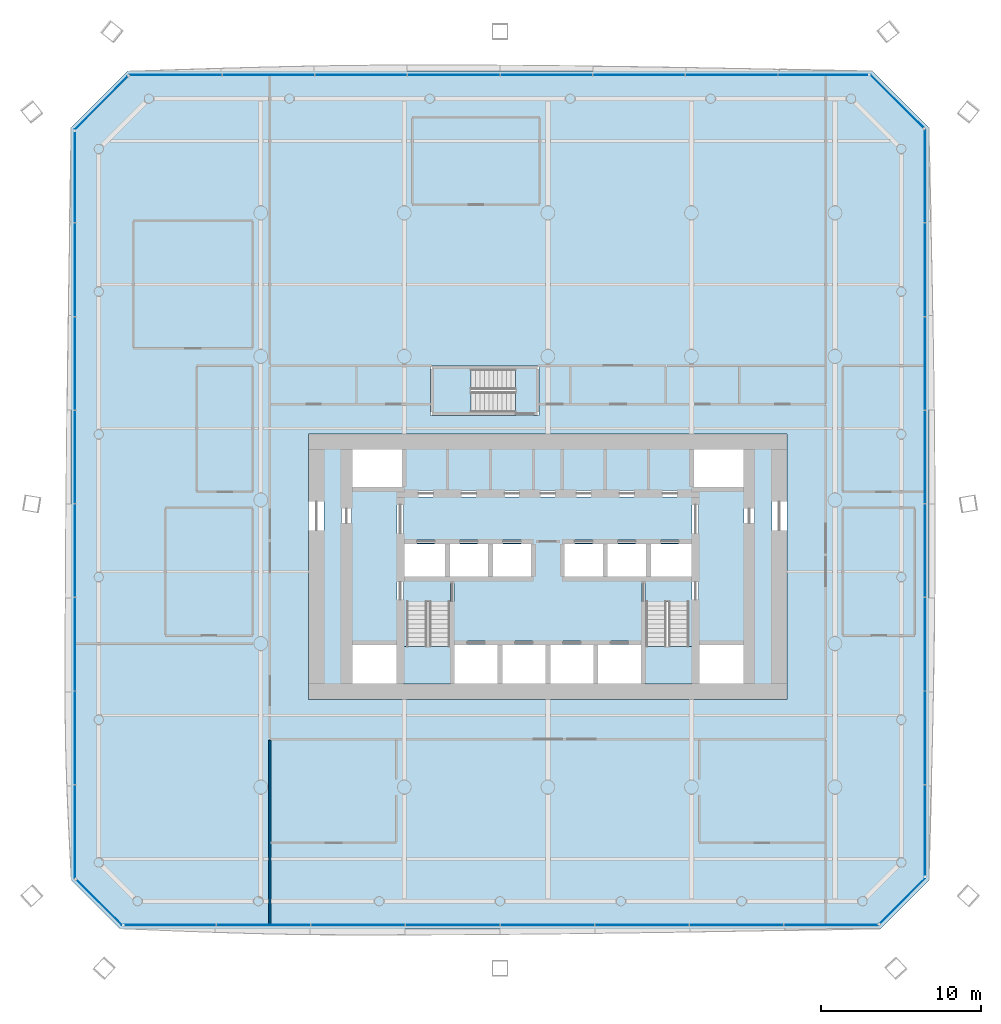
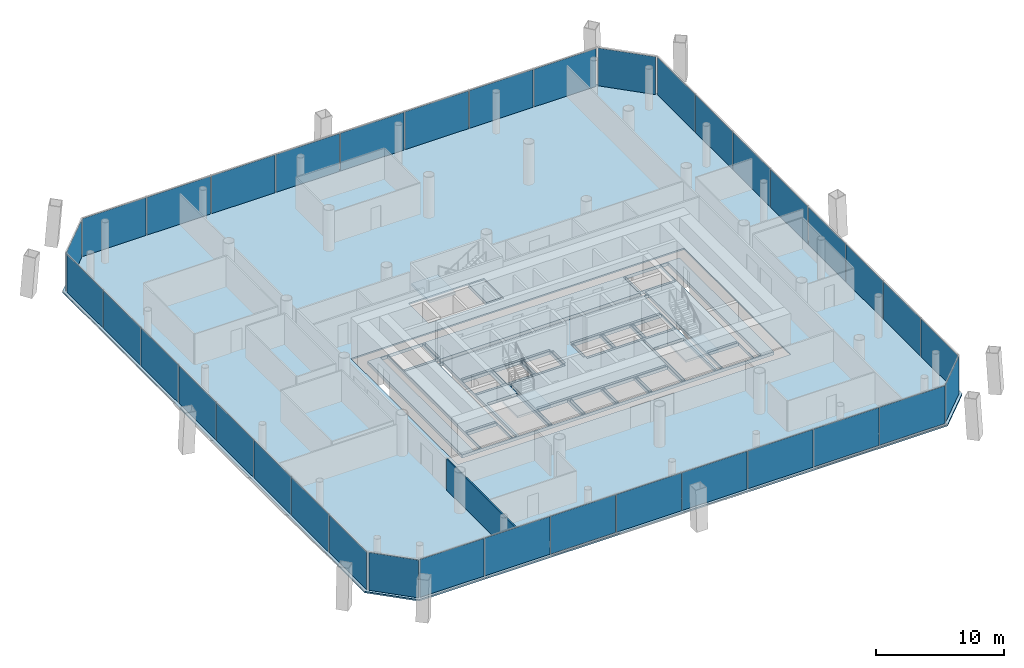
# One storey, part 12 of 21: 36 plates, 6 slabs, 1 wall, 11 elements without a shape of their own.
"""IFC4 building model written with IfcOpenShell, lengths in metres."""

from ifc_helpers import new_model, si_unit, direction, frame, frame_2d, origin, origin_2d, place, context, subcontext, project, spatial, polyline, rectangle, outline, extrude, material, layer, layer_set, type_object, element, aggregate, save


model = new_model("IFC4")

# Units and contexts
model_context = context("Model", 3, precision=1e-05, world=origin(), true_north=direction((0.0, 1.0)))
body_context = subcontext(model_context, "Body", "Model", "MODEL_VIEW")
ifc_project = project(units=[si_unit("LENGTHUNIT", "METRE"), si_unit("AREAUNIT", "SQUARE_METRE"), si_unit("VOLUMEUNIT", "CUBIC_METRE"), si_unit("PLANEANGLEUNIT", "RADIAN"), si_unit("MASSUNIT", "GRAM", prefix="KILO")], contexts=[model_context])

# Site, building, storey
site_placement = place(None, origin())
site = spatial("IfcSite", under=ifc_project, at=site_placement, CompositionType="ELEMENT")
building_placement = place(site_placement, origin())
building = spatial("IfcBuilding", under=site, at=building_placement, Name="Tskaro Facet Tower", CompositionType="ELEMENT")
storey_placement = place(building_placement, frame((0.0, 0.0, 42.0)))
storey = spatial("IfcBuildingStorey", under=building, at=storey_placement, Name="L09", CompositionType="ELEMENT", Elevation=42.0)

# Slab
ifc_material_1 = material(Name="Concrete C30/37", Category="concrete")
ifc_layer_1 = layer(ifc_material_1, 0.139892578125, Name="Concrete C30/37")
ifc_layer_set_1 = layer_set([ifc_layer_1], Name="Concrete C30/37")
slab_type_1 = type_object("IfcSlabType", Name="Composite deck floor slab", PredefinedType="FLOOR", material=ifc_layer_set_1)
slab_1_placement = place(storey_placement, frame((0.0, 0.0, -0.139892578125)))
element("IfcSlab", 1, at=slab_1_placement, inside=storey, type_object=slab_type_1, Name="Floor slab FS3 L09", PredefinedType="FLOOR", context=body_context, shape_type="SweptSolid", body=[
    extrude(outline(polyline([(-26.81689453125, -26.904052734375), (20.81689453125, -26.904052734375), (23.904052734375, -23.81689453125), (23.904052734375, 23.339111328125), (20.339111328125, 26.904052734375), (-26.339111328125, 26.904052734375), (-29.904052734375, 23.339111328125), (-29.904052734375, -23.81689453125), (-26.81689453125, -26.904052734375)]), holes=[polyline([(-15.0, -12.5), (15.0, -12.5), (15.0, 4.14990234375), (-15.0, 4.14990234375), (-15.0, -12.5)]), polyline([(-7.35009765625, 5.300048828125), (-0.550048828125, 5.300048828125), (-0.550048828125, 8.39990234375), (-7.35009765625, 8.39990234375), (-7.35009765625, 5.300048828125)])]), origin(), (0.0, 0.0, 1.0), 0.139892578125),
])

# Curtain wall, plates
ifc_material_2 = material(Name="Bronze anodised aluminium 6063-T6", Category="aluminium")
curtain_wall_type = type_object("IfcCurtainWallType", Name="Bronze office curtain wall (FW1)", PredefinedType="NOTDEFINED", material=ifc_material_2)
curtain_wall_1_placement = place(storey_placement, origin())
curtain_wall_1 = element("IfcCurtainWall", 2, at=curtain_wall_1_placement, inside=storey, type_object=curtain_wall_type, Name="FW1 south facet L09", PredefinedType="NOTDEFINED")
ifc_material_3 = material(Name="Bronze tinted glass", Category="glass")
ifc_layer_2 = layer(ifc_material_3, 0.031982421875, Name="Bronze tinted glass")
ifc_layer_set_2 = layer_set([ifc_layer_2], Name="Bronze tinted glass")
plate_type = type_object("IfcPlateType", Name="FW1 bronze-tinted unit glazing 32", PredefinedType="CURTAIN_PANEL", material=ifc_layer_set_2)
plate_1_placement = place(storey_placement, frame((-23.683837890625, -26.654052734375, 0.0), z_axis=(0.0, 0.0, 1.0), x_axis=(1.0, 0.0, 0.0)))
plate_1 = element("IfcPlate", 3, at=plate_1_placement, type_object=plate_type, Name="FW1 south glazing 1.1", PredefinedType="CURTAIN_PANEL", context=body_context, shape_type="SweptSolid", body=[
    extrude(rectangle(XDim=5.73828125, YDim=0.031982421875, at=origin_2d()), origin(), (0.0, 0.0, 1.0), 3.60009765625),
])
plate_2_placement = place(storey_placement, frame((-17.820556640625, -26.654052734375, 0.0), z_axis=(0.0, 0.0, 1.0), x_axis=(1.0, 0.0, 0.0)))
plate_2 = element("IfcPlate", 4, at=plate_2_placement, type_object=plate_type, Name="FW1 south glazing 2.1", PredefinedType="CURTAIN_PANEL", context=body_context, shape_type="SweptSolid", body=[
    extrude(rectangle(XDim=5.8681640625, YDim=0.031982421875, at=origin_2d()), origin(), (0.0, 0.0, 1.0), 3.60009765625),
])
plate_3_placement = place(storey_placement, frame((-11.892333984375, -26.654052734375, 0.0), z_axis=(0.0, 0.0, 1.0), x_axis=(1.0, 0.0, 0.0)))
plate_3 = element("IfcPlate", 5, at=plate_3_placement, type_object=plate_type, Name="FW1 south glazing 3.1", PredefinedType="CURTAIN_PANEL", context=body_context, shape_type="SweptSolid", body=[
    extrude(rectangle(XDim=5.8681640625, YDim=0.031982421875, at=origin_2d()), origin(), (0.0, 0.0, 1.0), 3.60009765625),
])
plate_4_placement = place(storey_placement, frame((-5.964111328125, -26.654052734375, 0.0), z_axis=(0.0, 0.0, 1.0), x_axis=(1.0, 0.0, 0.0)))
plate_4 = element("IfcPlate", 6, at=plate_4_placement, type_object=plate_type, Name="FW1 south glazing 4.1", PredefinedType="CURTAIN_PANEL", context=body_context, shape_type="SweptSolid", body=[
    extrude(rectangle(XDim=5.8681640625, YDim=0.031982421875, at=origin_2d()), origin(), (0.0, 0.0, 1.0), 3.60009765625),
])
plate_5_placement = place(storey_placement, frame((-0.035888671875, -26.654052734375, 0.0), z_axis=(0.0, 0.0, 1.0), x_axis=(1.0, 0.0, 0.0)))
plate_5 = element("IfcPlate", 7, at=plate_5_placement, type_object=plate_type, Name="FW1 south glazing 5.1", PredefinedType="CURTAIN_PANEL", context=body_context, shape_type="SweptSolid", body=[
    extrude(rectangle(XDim=5.8681640625, YDim=0.031982421875, at=origin_2d()), origin(), (0.0, 0.0, 1.0), 3.60009765625),
])
plate_6_placement = place(storey_placement, frame((5.892333984375, -26.654052734375, 0.0), z_axis=(0.0, 0.0, 1.0), x_axis=(1.0, 0.0, 0.0)))
plate_6 = element("IfcPlate", 8, at=plate_6_placement, type_object=plate_type, Name="FW1 south glazing 6.1", PredefinedType="CURTAIN_PANEL", context=body_context, shape_type="SweptSolid", body=[
    extrude(rectangle(XDim=5.8681640625, YDim=0.031982421875, at=origin_2d()), origin(), (0.0, 0.0, 1.0), 3.60009765625),
])
plate_7_placement = place(storey_placement, frame((11.820556640625, -26.654052734375, 0.0), z_axis=(0.0, 0.0, 1.0), x_axis=(1.0, 0.0, 0.0)))
plate_7 = element("IfcPlate", 9, at=plate_7_placement, type_object=plate_type, Name="FW1 south glazing 7.1", PredefinedType="CURTAIN_PANEL", context=body_context, shape_type="SweptSolid", body=[
    extrude(rectangle(XDim=5.8681640625, YDim=0.031982421875, at=origin_2d()), origin(), (0.0, 0.0, 1.0), 3.60009765625),
])
plate_8_placement = place(storey_placement, frame((17.763916015625, -26.654052734375, 0.0), z_axis=(0.0, 0.0, 1.0), x_axis=(1.0, 0.0, 0.0)))
plate_8 = element("IfcPlate", 10, at=plate_8_placement, type_object=plate_type, Name="FW1 south glazing 8.1", PredefinedType="CURTAIN_PANEL", context=body_context, shape_type="SweptSolid", body=[
    extrude(rectangle(XDim=5.898193359375, YDim=0.031982421875, at=origin_2d()), origin(), (0.0, 0.0, 1.0), 3.60009765625),
])
aggregate(curtain_wall_1, [plate_1, plate_2, plate_3, plate_4, plate_5, plate_6, plate_7, plate_8])

# Curtain wall, plate
curtain_wall_2_placement = place(storey_placement, origin())
curtain_wall_2 = element("IfcCurtainWall", 11, at=curtain_wall_2_placement, inside=storey, type_object=curtain_wall_type, Name="FW1 south-east facet L09", PredefinedType="NOTDEFINED")
plate_9_placement = place(storey_placement, frame((22.239990234375, -25.126953125, 0.0), z_axis=(0.0, 0.0, 1.0), x_axis=(0.707106781187, 0.707106781187, 0.0)))
plate_9 = element("IfcPlate", 12, at=plate_9_placement, type_object=plate_type, Name="FW1 south-east glazing 1.1", PredefinedType="CURTAIN_PANEL", context=body_context, shape_type="SweptSolid", body=[
    extrude(rectangle(XDim=3.999267578125, YDim=0.031982421875, at=origin_2d()), origin(), (0.0, 0.0, 1.0), 3.60009765625),
])
aggregate(curtain_wall_2, [plate_9])

# Curtain wall, plates
curtain_wall_3_placement = place(storey_placement, origin())
curtain_wall_3 = element("IfcCurtainWall", 13, at=curtain_wall_3_placement, inside=storey, type_object=curtain_wall_type, Name="FW1 east facet L09", PredefinedType="NOTDEFINED")
plate_10_placement = place(storey_placement, frame((23.654052734375, -20.7138671875, 0.0), z_axis=(0.0, 0.0, 1.0), x_axis=(0.0, 1.0, 0.0)))
plate_10 = element("IfcPlate", 14, at=plate_10_placement, type_object=plate_type, Name="FW1 east glazing 1.1", PredefinedType="CURTAIN_PANEL", context=body_context, shape_type="SweptSolid", body=[
    extrude(rectangle(XDim=5.678466796875, YDim=0.031982421875, at=origin_2d()), origin(), (0.0, 0.0, 1.0), 3.60009765625),
])
plate_11_placement = place(storey_placement, frame((23.654052734375, -14.91015625, 0.0), z_axis=(0.0, 0.0, 1.0), x_axis=(0.0, 1.0, 0.0)))
plate_11 = element("IfcPlate", 15, at=plate_11_placement, type_object=plate_type, Name="FW1 east glazing 2.1", PredefinedType="CURTAIN_PANEL", context=body_context, shape_type="SweptSolid", body=[
    extrude(rectangle(XDim=5.80859375, YDim=0.031982421875, at=origin_2d()), origin(), (0.0, 0.0, 1.0), 3.60009765625),
])
plate_12_placement = place(storey_placement, frame((23.654052734375, -9.041748046875, 0.0), z_axis=(0.0, 0.0, 1.0), x_axis=(0.0, 1.0, 0.0)))
plate_12 = element("IfcPlate", 16, at=plate_12_placement, type_object=plate_type, Name="FW1 east glazing 3.1", PredefinedType="CURTAIN_PANEL", context=body_context, shape_type="SweptSolid", body=[
    extrude(rectangle(XDim=5.80859375, YDim=0.031982421875, at=origin_2d()), origin(), (0.0, 0.0, 1.0), 3.60009765625),
])
plate_13_placement = place(storey_placement, frame((23.654052734375, -3.17333984375, 0.0), z_axis=(0.0, 0.0, 1.0), x_axis=(0.0, 1.0, 0.0)))
plate_13 = element("IfcPlate", 17, at=plate_13_placement, type_object=plate_type, Name="FW1 east glazing 4.1", PredefinedType="CURTAIN_PANEL", context=body_context, shape_type="SweptSolid", body=[
    extrude(rectangle(XDim=5.80859375, YDim=0.031982421875, at=origin_2d()), origin(), (0.0, 0.0, 1.0), 3.60009765625),
])
plate_14_placement = place(storey_placement, frame((23.654052734375, 2.6953125, 0.0), z_axis=(0.0, 0.0, 1.0), x_axis=(0.0, 1.0, 0.0)))
plate_14 = element("IfcPlate", 18, at=plate_14_placement, type_object=plate_type, Name="FW1 east glazing 5.1", PredefinedType="CURTAIN_PANEL", context=body_context, shape_type="SweptSolid", body=[
    extrude(rectangle(XDim=5.80859375, YDim=0.031982421875, at=origin_2d()), origin(), (0.0, 0.0, 1.0), 3.60009765625),
])
plate_15_placement = place(storey_placement, frame((23.654052734375, 8.563720703125, 0.0), z_axis=(0.0, 0.0, 1.0), x_axis=(0.0, 1.0, 0.0)))
plate_15 = element("IfcPlate", 19, at=plate_15_placement, type_object=plate_type, Name="FW1 east glazing 6.1", PredefinedType="CURTAIN_PANEL", context=body_context, shape_type="SweptSolid", body=[
    extrude(rectangle(XDim=5.80859375, YDim=0.031982421875, at=origin_2d()), origin(), (0.0, 0.0, 1.0), 3.60009765625),
])
plate_16_placement = place(storey_placement, frame((23.654052734375, 14.43212890625, 0.0), z_axis=(0.0, 0.0, 1.0), x_axis=(0.0, 1.0, 0.0)))
plate_16 = element("IfcPlate", 20, at=plate_16_placement, type_object=plate_type, Name="FW1 east glazing 7.1", PredefinedType="CURTAIN_PANEL", context=body_context, shape_type="SweptSolid", body=[
    extrude(rectangle(XDim=5.80859375, YDim=0.031982421875, at=origin_2d()), origin(), (0.0, 0.0, 1.0), 3.60009765625),
])
plate_17_placement = place(storey_placement, frame((23.654052734375, 20.315673828125, 0.0), z_axis=(0.0, 0.0, 1.0), x_axis=(0.0, 1.0, 0.0)))
plate_17 = element("IfcPlate", 21, at=plate_17_placement, type_object=plate_type, Name="FW1 east glazing 8.1", PredefinedType="CURTAIN_PANEL", context=body_context, shape_type="SweptSolid", body=[
    extrude(rectangle(XDim=5.83837890625, YDim=0.031982421875, at=origin_2d()), origin(), (0.0, 0.0, 1.0), 3.60009765625),
])
aggregate(curtain_wall_3, [plate_10, plate_11, plate_12, plate_13, plate_14, plate_15, plate_16, plate_17])

# Curtain wall, plate
curtain_wall_4_placement = place(storey_placement, origin())
curtain_wall_4 = element("IfcCurtainWall", 22, at=curtain_wall_4_placement, inside=storey, type_object=curtain_wall_type, Name="FW1 north-east facet L09", PredefinedType="NOTDEFINED")
plate_18_placement = place(storey_placement, frame((21.887939453125, 25.0009765625, 0.0), z_axis=(0.0, 0.0, 1.0), x_axis=(-0.707106781187, 0.707106781187, 0.0)))
plate_18 = element("IfcPlate", 23, at=plate_18_placement, type_object=plate_type, Name="FW1 north-east glazing 1.1", PredefinedType="CURTAIN_PANEL", context=body_context, shape_type="SweptSolid", body=[
    extrude(rectangle(XDim=4.67529296875, YDim=0.031982421875, at=origin_2d()), origin(), (0.0, 0.0, 1.0), 3.60009765625),
])
aggregate(curtain_wall_4, [plate_18])

# Curtain wall, plates
curtain_wall_5_placement = place(storey_placement, origin())
curtain_wall_5 = element("IfcCurtainWall", 24, at=curtain_wall_5_placement, inside=storey, type_object=curtain_wall_type, Name="FW1 north facet L09", PredefinedType="NOTDEFINED")
plate_19_placement = place(storey_placement, frame((17.265625, 26.654052734375, 0.0), z_axis=(0.0, 0.0, 1.0), x_axis=(-1.0, 0.0, 0.0)))
plate_19 = element("IfcPlate", 25, at=plate_19_placement, type_object=plate_type, Name="FW1 north glazing 1.1", PredefinedType="CURTAIN_PANEL", context=body_context, shape_type="SweptSolid", body=[
    extrude(rectangle(XDim=5.61865234375, YDim=0.031982421875, at=origin_2d()), origin(), (0.0, 0.0, 1.0), 3.60009765625),
])
plate_20_placement = place(storey_placement, frame((11.52197265625, 26.654052734375, 0.0), z_axis=(0.0, 0.0, 1.0), x_axis=(-1.0, 0.0, 0.0)))
plate_20 = element("IfcPlate", 26, at=plate_20_placement, type_object=plate_type, Name="FW1 north glazing 2.1", PredefinedType="CURTAIN_PANEL", context=body_context, shape_type="SweptSolid", body=[
    extrude(rectangle(XDim=5.748779296875, YDim=0.031982421875, at=origin_2d()), origin(), (0.0, 0.0, 1.0), 3.60009765625),
])
plate_21_placement = place(storey_placement, frame((5.713134765625, 26.654052734375, 0.0), z_axis=(0.0, 0.0, 1.0), x_axis=(-1.0, 0.0, 0.0)))
plate_21 = element("IfcPlate", 27, at=plate_21_placement, type_object=plate_type, Name="FW1 north glazing 3.1", PredefinedType="CURTAIN_PANEL", context=body_context, shape_type="SweptSolid", body=[
    extrude(rectangle(XDim=5.748779296875, YDim=0.031982421875, at=origin_2d()), origin(), (0.0, 0.0, 1.0), 3.60009765625),
])
plate_22_placement = place(storey_placement, frame((-0.095703125, 26.654052734375, 0.0), z_axis=(0.0, 0.0, 1.0), x_axis=(-1.0, 0.0, 0.0)))
plate_22 = element("IfcPlate", 28, at=plate_22_placement, type_object=plate_type, Name="FW1 north glazing 4.1", PredefinedType="CURTAIN_PANEL", context=body_context, shape_type="SweptSolid", body=[
    extrude(rectangle(XDim=5.748779296875, YDim=0.031982421875, at=origin_2d()), origin(), (0.0, 0.0, 1.0), 3.60009765625),
])
plate_23_placement = place(storey_placement, frame((-5.904296875, 26.654052734375, 0.0), z_axis=(0.0, 0.0, 1.0), x_axis=(-1.0, 0.0, 0.0)))
plate_23 = element("IfcPlate", 29, at=plate_23_placement, type_object=plate_type, Name="FW1 north glazing 5.1", PredefinedType="CURTAIN_PANEL", context=body_context, shape_type="SweptSolid", body=[
    extrude(rectangle(XDim=5.748779296875, YDim=0.031982421875, at=origin_2d()), origin(), (0.0, 0.0, 1.0), 3.60009765625),
])
plate_24_placement = place(storey_placement, frame((-11.713134765625, 26.654052734375, 0.0), z_axis=(0.0, 0.0, 1.0), x_axis=(-1.0, 0.0, 0.0)))
plate_24 = element("IfcPlate", 30, at=plate_24_placement, type_object=plate_type, Name="FW1 north glazing 6.1", PredefinedType="CURTAIN_PANEL", context=body_context, shape_type="SweptSolid", body=[
    extrude(rectangle(XDim=5.748779296875, YDim=0.031982421875, at=origin_2d()), origin(), (0.0, 0.0, 1.0), 3.60009765625),
])
plate_25_placement = place(storey_placement, frame((-17.52197265625, 26.654052734375, 0.0), z_axis=(0.0, 0.0, 1.0), x_axis=(-1.0, 0.0, 0.0)))
plate_25 = element("IfcPlate", 31, at=plate_25_placement, type_object=plate_type, Name="FW1 north glazing 7.1", PredefinedType="CURTAIN_PANEL", context=body_context, shape_type="SweptSolid", body=[
    extrude(rectangle(XDim=5.748779296875, YDim=0.031982421875, at=origin_2d()), origin(), (0.0, 0.0, 1.0), 3.60009765625),
])
plate_26_placement = place(storey_placement, frame((-23.345703125, 26.654052734375, 0.0), z_axis=(0.0, 0.0, 1.0), x_axis=(-1.0, 0.0, 0.0)))
plate_26 = element("IfcPlate", 32, at=plate_26_placement, type_object=plate_type, Name="FW1 north glazing 8.1", PredefinedType="CURTAIN_PANEL", context=body_context, shape_type="SweptSolid", body=[
    extrude(rectangle(XDim=5.77880859375, YDim=0.031982421875, at=origin_2d()), origin(), (0.0, 0.0, 1.0), 3.60009765625),
])
aggregate(curtain_wall_5, [plate_19, plate_20, plate_21, plate_22, plate_23, plate_24, plate_25, plate_26])

# Curtain wall, plate
curtain_wall_6_placement = place(storey_placement, origin())
curtain_wall_6 = element("IfcCurtainWall", 33, at=curtain_wall_6_placement, inside=storey, type_object=curtain_wall_type, Name="FW1 north-west facet L09", PredefinedType="NOTDEFINED")
plate_27_placement = place(storey_placement, frame((-28.0009765625, 24.887939453125, 0.0), z_axis=(0.0, 0.0, 1.0), x_axis=(-0.707106781187, -0.707106781187, 0.0)))
plate_27 = element("IfcPlate", 34, at=plate_27_placement, type_object=plate_type, Name="FW1 north-west glazing 1.1", PredefinedType="CURTAIN_PANEL", context=body_context, shape_type="SweptSolid", body=[
    extrude(rectangle(XDim=4.67529296875, YDim=0.031982421875, at=origin_2d()), origin(), (0.0, 0.0, 1.0), 3.60009765625),
])
aggregate(curtain_wall_6, [plate_27])

# Curtain wall, plates
curtain_wall_7_placement = place(storey_placement, origin())
curtain_wall_7 = element("IfcCurtainWall", 35, at=curtain_wall_7_placement, inside=storey, type_object=curtain_wall_type, Name="FW1 west facet L09", PredefinedType="NOTDEFINED")
plate_28_placement = place(storey_placement, frame((-29.654052734375, 20.23583984375, 0.0), z_axis=(0.0, 0.0, 1.0), x_axis=(0.0, -1.0, 0.0)))
plate_28 = element("IfcPlate", 36, at=plate_28_placement, type_object=plate_type, Name="FW1 west glazing 1.1", PredefinedType="CURTAIN_PANEL", context=body_context, shape_type="SweptSolid", body=[
    extrude(rectangle(XDim=5.678466796875, YDim=0.031982421875, at=origin_2d()), origin(), (0.0, 0.0, 1.0), 3.60009765625),
])
plate_29_placement = place(storey_placement, frame((-29.654052734375, 14.43212890625, 0.0), z_axis=(0.0, 0.0, 1.0), x_axis=(0.0, -1.0, 0.0)))
plate_29 = element("IfcPlate", 37, at=plate_29_placement, type_object=plate_type, Name="FW1 west glazing 2.1", PredefinedType="CURTAIN_PANEL", context=body_context, shape_type="SweptSolid", body=[
    extrude(rectangle(XDim=5.80859375, YDim=0.031982421875, at=origin_2d()), origin(), (0.0, 0.0, 1.0), 3.60009765625),
])
plate_30_placement = place(storey_placement, frame((-29.654052734375, 8.563720703125, 0.0), z_axis=(0.0, 0.0, 1.0), x_axis=(0.0, -1.0, 0.0)))
plate_30 = element("IfcPlate", 38, at=plate_30_placement, type_object=plate_type, Name="FW1 west glazing 3.1", PredefinedType="CURTAIN_PANEL", context=body_context, shape_type="SweptSolid", body=[
    extrude(rectangle(XDim=5.80859375, YDim=0.031982421875, at=origin_2d()), origin(), (0.0, 0.0, 1.0), 3.60009765625),
])
plate_31_placement = place(storey_placement, frame((-29.654052734375, 2.6953125, 0.0), z_axis=(0.0, 0.0, 1.0), x_axis=(0.0, -1.0, 0.0)))
plate_31 = element("IfcPlate", 39, at=plate_31_placement, type_object=plate_type, Name="FW1 west glazing 4.1", PredefinedType="CURTAIN_PANEL", context=body_context, shape_type="SweptSolid", body=[
    extrude(rectangle(XDim=5.80859375, YDim=0.031982421875, at=origin_2d()), origin(), (0.0, 0.0, 1.0), 3.60009765625),
])
plate_32_placement = place(storey_placement, frame((-29.654052734375, -3.17333984375, 0.0), z_axis=(0.0, 0.0, 1.0), x_axis=(0.0, -1.0, 0.0)))
plate_32 = element("IfcPlate", 40, at=plate_32_placement, type_object=plate_type, Name="FW1 west glazing 5.1", PredefinedType="CURTAIN_PANEL", context=body_context, shape_type="SweptSolid", body=[
    extrude(rectangle(XDim=5.80859375, YDim=0.031982421875, at=origin_2d()), origin(), (0.0, 0.0, 1.0), 3.60009765625),
])
plate_33_placement = place(storey_placement, frame((-29.654052734375, -9.041748046875, 0.0), z_axis=(0.0, 0.0, 1.0), x_axis=(0.0, -1.0, 0.0)))
plate_33 = element("IfcPlate", 41, at=plate_33_placement, type_object=plate_type, Name="FW1 west glazing 6.1", PredefinedType="CURTAIN_PANEL", context=body_context, shape_type="SweptSolid", body=[
    extrude(rectangle(XDim=5.80859375, YDim=0.031982421875, at=origin_2d()), origin(), (0.0, 0.0, 1.0), 3.60009765625),
])
plate_34_placement = place(storey_placement, frame((-29.654052734375, -14.91015625, 0.0), z_axis=(0.0, 0.0, 1.0), x_axis=(0.0, -1.0, 0.0)))
plate_34 = element("IfcPlate", 42, at=plate_34_placement, type_object=plate_type, Name="FW1 west glazing 7.1", PredefinedType="CURTAIN_PANEL", context=body_context, shape_type="SweptSolid", body=[
    extrude(rectangle(XDim=5.80859375, YDim=0.031982421875, at=origin_2d()), origin(), (0.0, 0.0, 1.0), 3.60009765625),
])
plate_35_placement = place(storey_placement, frame((-29.654052734375, -20.793701171875, 0.0), z_axis=(0.0, 0.0, 1.0), x_axis=(0.0, -1.0, 0.0)))
plate_35 = element("IfcPlate", 43, at=plate_35_placement, type_object=plate_type, Name="FW1 west glazing 8.1", PredefinedType="CURTAIN_PANEL", context=body_context, shape_type="SweptSolid", body=[
    extrude(rectangle(XDim=5.83837890625, YDim=0.031982421875, at=origin_2d()), origin(), (0.0, 0.0, 1.0), 3.60009765625),
])
aggregate(curtain_wall_7, [plate_28, plate_29, plate_30, plate_31, plate_32, plate_33, plate_34, plate_35])

# Curtain wall, plate
curtain_wall_8_placement = place(storey_placement, origin())
curtain_wall_8 = element("IfcCurtainWall", 44, at=curtain_wall_8_placement, inside=storey, type_object=curtain_wall_type, Name="FW1 south-west facet L09", PredefinedType="NOTDEFINED")
plate_36_placement = place(storey_placement, frame((-28.126953125, -25.239990234375, 0.0), z_axis=(0.0, 0.0, 1.0), x_axis=(0.707106781187, -0.707106781187, 0.0)))
plate_36 = element("IfcPlate", 45, at=plate_36_placement, type_object=plate_type, Name="FW1 south-west glazing 1.1", PredefinedType="CURTAIN_PANEL", context=body_context, shape_type="SweptSolid", body=[
    extrude(rectangle(XDim=3.999267578125, YDim=0.031982421875, at=origin_2d()), origin(), (0.0, 0.0, 1.0), 3.60009765625),
])
aggregate(curtain_wall_8, [plate_36])

# Stair, slab
ifc_material_4 = material(Name="Concrete C40/50", Category="concrete")
stair_type = type_object("IfcStairType", Name="ST-TWR", PredefinedType="HALF_TURN_STAIR", material=ifc_material_4)
stair_1_placement = place(storey_placement, origin())
stair_1 = element("IfcStair", 46, at=stair_1_placement, inside=storey, type_object=stair_type, Name="L09 Exit stair 1", PredefinedType="HALF_TURN_STAIR")
ifc_layer_3 = layer(ifc_material_4, 0.199951171875, Name="Concrete C40/50")
ifc_layer_set_3 = layer_set([ifc_layer_3], Name="Concrete C40/50")
slab_type_2 = type_object("IfcSlabType", Name="SL-LANDING", PredefinedType="LANDING", material=ifc_layer_set_3)
slab_2_placement = place(storey_placement, frame((0.0, 0.0, 1.75)))
slab_2 = element("IfcSlab", 47, at=slab_2_placement, type_object=slab_type_2, Name="ST-1 landing 1", PredefinedType="LANDING", context=body_context, shape_type="SweptSolid", body=[
    extrude(outline(polyline([(-9.050048828125, -11.550048828125), (-6.10009765625, -11.550048828125), (-6.10009765625, -9.175048828125), (-9.050048828125, -9.175048828125), (-9.050048828125, -11.550048828125)])), origin(), (0.0, 0.0, 1.0), 0.199951171875),
])
aggregate(stair_1, [slab_2])

stair_2_placement = place(storey_placement, origin())
stair_2 = element("IfcStair", 48, at=stair_2_placement, inside=storey, type_object=stair_type, Name="L09 Exit stair 2", PredefinedType="HALF_TURN_STAIR")
slab_3_placement = place(storey_placement, frame((0.0, 0.0, 1.75)))
slab_3 = element("IfcSlab", 49, at=slab_3_placement, type_object=slab_type_2, Name="ST-2 landing 1", PredefinedType="LANDING", context=body_context, shape_type="SweptSolid", body=[
    extrude(outline(polyline([(6.10009765625, -11.550048828125), (9.050048828125, -11.550048828125), (9.050048828125, -9.175048828125), (6.10009765625, -9.175048828125), (6.10009765625, -11.550048828125)])), origin(), (0.0, 0.0, 1.0), 0.199951171875),
])
aggregate(stair_2, [slab_3])

stair_3_placement = place(storey_placement, origin())
stair_3 = element("IfcStair", 50, at=stair_3_placement, inside=storey, type_object=stair_type, Name="L09 Exit stair 3", PredefinedType="HALF_TURN_STAIR")
slab_4_placement = place(storey_placement, frame((0.0, 0.0, 1.75)))
slab_4 = element("IfcSlab", 51, at=slab_4_placement, type_object=slab_type_2, Name="ST-3 landing 1", PredefinedType="LANDING", context=body_context, shape_type="SweptSolid", body=[
    extrude(outline(polyline([(-7.199951171875, 5.449951171875), (-4.824951171875, 5.449951171875), (-4.824951171875, 8.25), (-7.199951171875, 8.25), (-7.199951171875, 5.449951171875)])), origin(), (0.0, 0.0, 1.0), 0.199951171875),
])
aggregate(stair_3, [slab_4])

# Slabs
ifc_material_5 = material(Name="Concrete C60/75", Category="concrete")
ifc_layer_4 = layer(ifc_material_5, 0.300048828125, Name="Concrete C60/75")
ifc_layer_set_4 = layer_set([ifc_layer_4], Name="Concrete C60/75")
slab_type_3 = type_object("IfcSlabType", Name="SLAB-CORE", PredefinedType="FLOOR", material=ifc_layer_set_4)
slab_5_placement = place(storey_placement, frame((0.0, 0.0, -0.300048828125)))
element("IfcSlab", 52, at=slab_5_placement, inside=storey, type_object=slab_type_3, Name="Core floor slab 1", PredefinedType="FLOOR", context=body_context, shape_type="SweptSolid", body=[
    extrude(outline(polyline([(-14.050048828125, 3.199951171875), (14.050048828125, 3.199951171875), (14.050048828125, 3.10009765625), (14.050048828125, -11.449951171875), (14.050048828125, -11.550048828125), (-14.050048828125, -11.550048828125), (-14.050048828125, -11.449951171875), (-14.050048828125, 3.10009765625), (-14.050048828125, 3.199951171875)]), holes=[polyline([(-9.5, -9.10009765625), (-12.25, -9.10009765625), (-12.25, -11.5), (-9.5, -11.5), (-9.5, -9.10009765625)]), polyline([(-3.14990234375, -9.10009765625), (-5.85009765625, -9.10009765625), (-5.85009765625, -11.5), (-3.14990234375, -11.5), (-3.14990234375, -9.10009765625)]), polyline([(-12.199951171875, -8.85009765625), (-12.199951171875, -9.050048828125), (-9.550048828125, -9.050048828125), (-9.550048828125, -8.85009765625), (-12.199951171875, -8.85009765625)]), polyline([(-6.10009765625, -11.449951171875), (-5.89990234375, -11.449951171875), (-5.89990234375, -5.14990234375), (-6.10009765625, -5.14990234375), (-6.10009765625, -11.449951171875)]), polyline([(-9.449951171875, 0.10009765625), (-9.449951171875, -11.449951171875), (-9.050048828125, -11.449951171875), (-9.050048828125, 0.10009765625), (-9.449951171875, 0.10009765625)]), polyline([(-8.949951171875, -4.85009765625), (-8.949951171875, -5.050048828125), (-0.949951171875, -5.050048828125), (-0.949951171875, -4.85009765625), (-8.949951171875, -4.85009765625)]), polyline([(-12.949951171875, -11.449951171875), (-12.300048828125, -11.449951171875), (-12.300048828125, 3.10009765625), (-12.949951171875, 3.10009765625), (-12.949951171875, -11.449951171875)]), polyline([(-6.449951171875, -4.800048828125), (-6.449951171875, -2.75), (-9.0, -2.75), (-9.0, -4.800048828125), (-6.449951171875, -4.800048828125)]), polyline([(-3.75, -2.75), (-6.14990234375, -2.75), (-6.14990234375, -4.800048828125), (-3.75, -4.800048828125), (-3.75, -2.75)]), polyline([(-6.39990234375, -2.800048828125), (-6.39990234375, -4.75), (-6.199951171875, -4.75), (-6.199951171875, -2.800048828125), (-6.39990234375, -2.800048828125)]), polyline([(-8.949951171875, -2.5), (-8.949951171875, -2.699951171875), (-0.949951171875, -2.699951171875), (-0.949951171875, -2.5), (-8.949951171875, -2.5)]), polyline([(9.449951171875, 0.550048828125), (12.199951171875, 0.550048828125), (12.199951171875, 0.75), (9.050048828125, 0.75), (9.050048828125, 0.60009765625), (-9.050048828125, 0.60009765625), (-9.050048828125, 0.75), (-12.199951171875, 0.75), (-12.199951171875, 0.550048828125), (-9.449951171875, 0.550048828125), (-9.449951171875, 0.199951171875), (9.449951171875, 0.199951171875), (9.449951171875, 0.550048828125)]), polyline([(-9.10009765625, 3.10009765625), (-9.10009765625, 0.85009765625), (-8.89990234375, 0.85009765625), (-8.89990234375, 3.10009765625), (-9.10009765625, 3.10009765625)]), polyline([(-9.14990234375, 0.800048828125), (-9.14990234375, 3.14990234375), (-12.25, 3.14990234375), (-12.25, 0.800048828125), (-9.14990234375, 0.800048828125)]), polyline([(2.89990234375, -11.449951171875), (3.10009765625, -11.449951171875), (3.10009765625, -9.14990234375), (2.89990234375, -9.14990234375), (2.89990234375, -11.449951171875)]), polyline([(-3.10009765625, -9.14990234375), (-3.10009765625, -11.449951171875), (-2.89990234375, -11.449951171875), (-2.89990234375, -9.14990234375), (-3.10009765625, -9.14990234375)]), polyline([(2.85009765625, -9.10009765625), (0.14990234375, -9.10009765625), (0.14990234375, -11.5), (2.85009765625, -11.5), (2.85009765625, -9.10009765625)]), polyline([(-0.14990234375, -9.10009765625), (-2.85009765625, -9.10009765625), (-2.85009765625, -11.5), (-0.14990234375, -11.5), (-0.14990234375, -9.10009765625)]), polyline([(-0.10009765625, -9.14990234375), (-0.10009765625, -11.449951171875), (0.10009765625, -11.449951171875), (0.10009765625, -9.14990234375), (-0.10009765625, -9.14990234375)]), polyline([(-5.800048828125, -8.85009765625), (-5.800048828125, -9.050048828125), (5.800048828125, -9.050048828125), (5.800048828125, -8.85009765625), (-5.800048828125, -8.85009765625)]), polyline([(-1.0, -2.800048828125), (-1.0, -4.75), (-0.800048828125, -4.75), (-0.800048828125, -2.800048828125), (-1.0, -2.800048828125)]), polyline([(0.800048828125, -4.75), (1.0, -4.75), (1.0, -2.800048828125), (0.800048828125, -2.800048828125), (0.800048828125, -4.75)]), polyline([(-1.050048828125, -4.800048828125), (-1.050048828125, -2.75), (-3.449951171875, -2.75), (-3.449951171875, -4.800048828125), (-1.050048828125, -4.800048828125)]), polyline([(3.449951171875, -4.800048828125), (3.449951171875, -2.75), (1.050048828125, -2.75), (1.050048828125, -4.800048828125), (3.449951171875, -4.800048828125)]), polyline([(-3.699951171875, -4.75), (-3.5, -4.75), (-3.5, -2.800048828125), (-3.699951171875, -2.800048828125), (-3.699951171875, -4.75)]), polyline([(3.14990234375, -9.10009765625), (3.14990234375, -11.5), (5.85009765625, -11.5), (5.85009765625, -9.10009765625), (3.14990234375, -9.10009765625)]), polyline([(12.25, -11.5), (12.25, -9.10009765625), (9.5, -9.10009765625), (9.5, -11.5), (12.25, -11.5)]), polyline([(9.550048828125, -8.85009765625), (9.550048828125, -9.050048828125), (12.199951171875, -9.050048828125), (12.199951171875, -8.85009765625), (9.550048828125, -8.85009765625)]), polyline([(5.89990234375, -11.449951171875), (6.10009765625, -11.449951171875), (6.10009765625, -5.14990234375), (5.89990234375, -5.14990234375), (5.89990234375, -11.449951171875)]), polyline([(9.050048828125, 0.10009765625), (9.050048828125, -11.449951171875), (9.449951171875, -11.449951171875), (9.449951171875, 0.10009765625), (9.050048828125, 0.10009765625)]), polyline([(0.949951171875, -4.85009765625), (0.949951171875, -5.050048828125), (8.949951171875, -5.050048828125), (8.949951171875, -4.85009765625), (0.949951171875, -4.85009765625)]), polyline([(12.300048828125, -11.449951171875), (12.949951171875, -11.449951171875), (12.949951171875, 3.10009765625), (12.300048828125, 3.10009765625), (12.300048828125, -11.449951171875)]), polyline([(3.5, -2.800048828125), (3.5, -4.75), (3.699951171875, -4.75), (3.699951171875, -2.800048828125), (3.5, -2.800048828125)]), polyline([(6.14990234375, -2.75), (3.75, -2.75), (3.75, -4.800048828125), (6.14990234375, -4.800048828125), (6.14990234375, -2.75)]), polyline([(6.199951171875, -2.800048828125), (6.199951171875, -4.75), (6.39990234375, -4.75), (6.39990234375, -2.800048828125), (6.199951171875, -2.800048828125)]), polyline([(6.449951171875, -2.75), (6.449951171875, -4.800048828125), (9.0, -4.800048828125), (9.0, -2.75), (6.449951171875, -2.75)]), polyline([(0.949951171875, -2.5), (0.949951171875, -2.699951171875), (8.949951171875, -2.699951171875), (8.949951171875, -2.5), (0.949951171875, -2.5)]), polyline([(8.89990234375, 3.10009765625), (8.89990234375, 0.85009765625), (9.10009765625, 0.85009765625), (9.10009765625, 3.10009765625), (8.89990234375, 3.10009765625)]), polyline([(9.14990234375, 0.800048828125), (12.25, 0.800048828125), (12.25, 3.14990234375), (9.14990234375, 3.14990234375), (9.14990234375, 0.800048828125)]), polyline([(-8.85009765625, -11.5), (-6.14990234375, -11.5), (-6.14990234375, -6.39501953125), (-8.85009765625, -6.39501953125), (-8.85009765625, -11.5)]), polyline([(6.14990234375, -6.39501953125), (6.14990234375, -11.5), (8.85009765625, -11.5), (8.85009765625, -6.39501953125), (6.14990234375, -6.39501953125)])]), origin(), (0.0, 0.0, 1.0), 0.300048828125),
])
slab_6_placement = place(storey_placement, frame((0.0, 0.0, -0.300048828125)))
element("IfcSlab", 53, at=slab_6_placement, inside=storey, type_object=slab_type_3, Name="Stair 3 floor landing 1", PredefinedType="FLOOR", context=body_context, shape_type="SweptSolid", body=[
    extrude(outline(polyline([(-2.02490234375, 5.449951171875), (-0.699951171875, 5.449951171875), (-0.699951171875, 8.25), (-2.02490234375, 8.25), (-2.02490234375, 5.449951171875)])), origin(), (0.0, 0.0, 1.0), 0.300048828125),
])

# Wall
ifc_material_6 = material(Name="Gypsum board on steel studs", Category="steel")
ifc_layer_5 = layer(ifc_material_6, 0.125, Name="Gypsum board on steel studs")
ifc_layer_set_5 = layer_set([ifc_layer_5], Name="Gypsum board on steel studs")
wall_type = type_object("IfcWallType", Name="PART", PredefinedType="PARTITIONING", material=ifc_layer_set_5)
wall_placement = place(storey_placement, frame((-17.425048828125, -26.60400390625, 0.0), z_axis=(0.0, 0.0, 1.0), x_axis=(0.0, 1.0, 0.0)))
element("IfcWall", 54, at=wall_placement, inside=storey, type_object=wall_type, Name="Partition W040", PredefinedType="PARTITIONING", context=body_context, shape_type="SweptSolid", body=[
    extrude(rectangle(XDim=11.529052734375, YDim=0.125, at=frame_2d((5.7646484375, 0.0))), origin(), (0.0, 0.0, 1.0), 2.9599609375),
])

save(model, "model.ifc")
